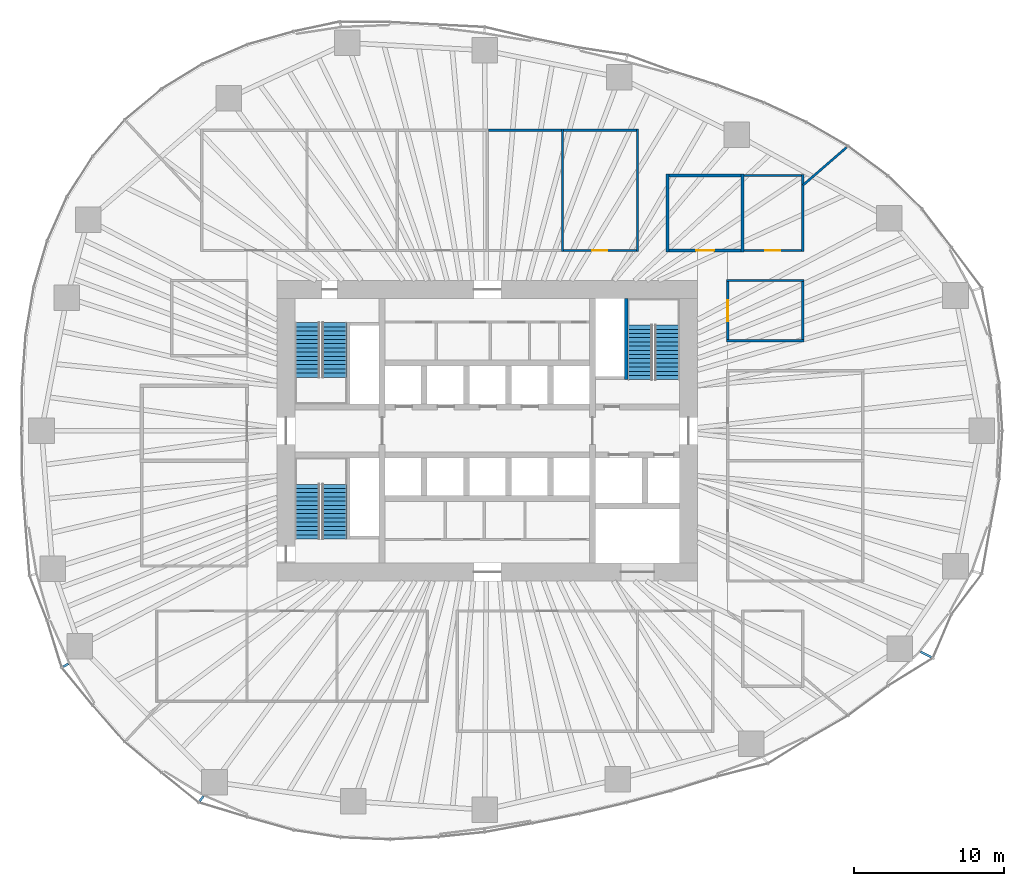
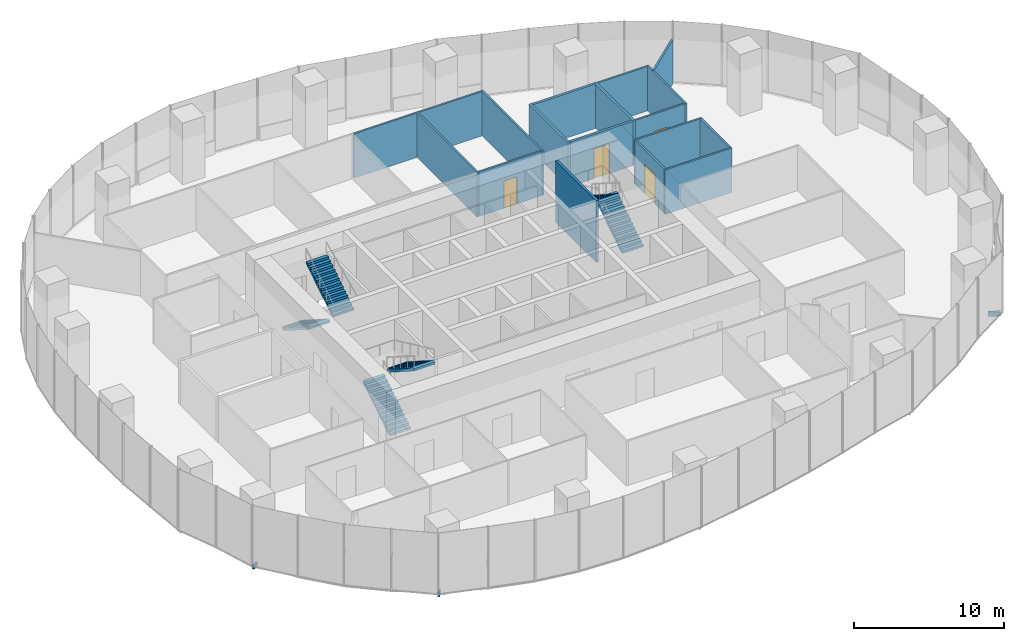
# One storey, part 12 of 20: 18 walls, 6 stair flights, 4 doors, 3 discrete accessories, 4 openings, 3 elements without a shape of their own.
"""IFC4 building model written with IfcOpenShell, lengths in metres."""

from ifc_helpers import new_model, si_unit, direction, frame, frame_2d, origin, origin_2d, place, context, subcontext, project, spatial, polyline, rectangle, outline, extrude, material, layer, layer_set, type_object, element, fill, aggregate, save


model = new_model("IFC4")

# Units and contexts
model_context = context("Model", 3, precision=1e-05, world=origin(), true_north=direction((0.0, 1.0)))
body_context = subcontext(model_context, "Body", "Model", "MODEL_VIEW")
ifc_project = project(units=[si_unit("LENGTHUNIT", "METRE"), si_unit("AREAUNIT", "SQUARE_METRE"), si_unit("VOLUMEUNIT", "CUBIC_METRE"), si_unit("PLANEANGLEUNIT", "RADIAN"), si_unit("MASSUNIT", "GRAM", prefix="KILO")], contexts=[model_context])

# Site, building, storey
site_placement = place(None, origin())
site = spatial("IfcSite", under=ifc_project, at=site_placement, CompositionType="ELEMENT")
building_placement = place(site_placement, origin())
building = spatial("IfcBuilding", under=site, at=building_placement, Name="Ghaith Harvest Tower", CompositionType="ELEMENT")
storey_placement = place(building_placement, frame((0.0, 0.0, 90.0)))
storey = spatial("IfcBuildingStorey", under=building, at=storey_placement, Name="L18", CompositionType="ELEMENT", Elevation=90.0)

# Walls
ifc_material_1 = material(Name="Twin-stud gypsum board, acoustic", Category="gypsum")
ifc_layer_1 = layer(ifc_material_1, 0.199951171875)
ifc_layer_set_1 = layer_set([ifc_layer_1], Name="ACOUSTIC PARTITION 200")
wall_type_1 = type_object("IfcWallType", Name="ACOUSTIC PARTITION 200", PredefinedType="PARTITIONING", material=ifc_layer_set_1)
for number, where, z_axis, x_axis, name in (
    (1, (12.0, 11.89990234375, 0.0), (0.0, 0.0, 1.0), (0.0, 1.0, 0.0), "Partition L18 row N6 cross wall 1"),
    (2, (17.0, 11.89990234375, 0.0), (0.0, 0.0, 1.0), (0.0, 1.0, 0.0), "Partition L18 row N6 cross wall 2"),
):
    element("IfcWall", number, at=place(storey_placement, frame(where, z_axis=z_axis, x_axis=x_axis)), inside=storey, type_object=wall_type_1, Name=name, PredefinedType="PARTITIONING", context=body_context, shape_type="SweptSolid", body=[
        extrude(rectangle(XDim=5.2001953125, YDim=0.199951171875, at=frame_2d((2.60009765625, 0.0))), origin(), (0.0, 0.0, 1.0), 3.60009765625),
    ])

# Wall, opening, door
wall_1_placement = place(storey_placement, frame((12.10009765625, 12.0, 0.0), z_axis=(0.0, 0.0, 1.0), x_axis=(1.0, 0.0, 0.0)))
wall_1 = element("IfcWall", 3, at=wall_1_placement, inside=storey, type_object=wall_type_1, Name="Partition L18-15", PredefinedType="PARTITIONING", context=body_context, shape_type="SweptSolid", body=[
    extrude(rectangle(XDim=4.7998046875, YDim=0.199951171875, at=frame_2d((2.39990234375, 0.0))), origin(), (0.0, 0.0, 1.0), 3.60009765625),
])
opening_1_placement = place(wall_1_placement, frame((1.800048828125, 0.0, 0.0)))
opening_1 = element("IfcOpeningElement", 4, at=opening_1_placement, cuts=wall_1, Name="Opening 18-040", PredefinedType="OPENING", context=body_context, shape_type="SweptSolid", body=[
    extrude(rectangle(XDim=1.199951171875, YDim=2.39990234375, at=frame_2d((0.60009765625, 1.199951171875))), frame((0.0, 0.10986328125, 0.0), z_axis=(0.0, -1.0, 0.0), x_axis=(1.0, 0.0, 0.0)), (0.0, 0.0, 1.0), 0.219970703125),
])
ifc_material_2 = material(Name="Timber door", Category="wood")
door_type_1 = type_object("IfcDoorType", Name="D11 GLAZED 1200x2400", OperationType="SINGLE_SWING_LEFT", PredefinedType="DOOR", material=ifc_material_2)
door_1_placement = place(opening_1_placement, origin())
door_1 = element("IfcDoor", 5, at=door_1_placement, inside=storey, type_object=door_type_1, Name="Meeting room door", OperationType="SINGLE_SWING_LEFT", OverallHeight=2.39990234375, OverallWidth=1.199951171875, PredefinedType="DOOR", context=body_context, shape_type="SweptSolid", body=[
    extrude(rectangle(XDim=1.199951171875, YDim=2.39990234375, at=frame_2d((0.60009765625, 1.199951171875))), frame((0.0, 0.02490234375, 0.0), z_axis=(0.0, -1.0, 0.0), x_axis=(1.0, 0.0, 0.0)), (0.0, 0.0, 1.0), 0.050048828125),
])
fill(opening_1, door_1)

# Walls
wall_2_placement = place(storey_placement, frame((12.10009765625, 17.0, 0.0), z_axis=(0.0, 0.0, 1.0), x_axis=(1.0, 0.0, 0.0)))
element("IfcWall", 6, at=wall_2_placement, inside=storey, type_object=wall_type_1, Name="Partition L18-15", PredefinedType="PARTITIONING", context=body_context, shape_type="SweptSolid", body=[
    extrude(rectangle(XDim=4.7998046875, YDim=0.199951171875, at=frame_2d((2.39990234375, 0.0))), origin(), (0.0, 0.0, 1.0), 3.60009765625),
])
ifc_material_3 = material(Name="Gypsum board on steel studs", Category="steel")
ifc_layer_2 = layer(ifc_material_3, 0.14990234375)
ifc_layer_set_2 = layer_set([ifc_layer_2], Name="PARTITION 150")
wall_type_2 = type_object("IfcWallType", Name="PARTITION 150", PredefinedType="PARTITIONING", material=ifc_layer_set_2)
for number, where, z_axis, x_axis, name in (
    (7, (5.0, 11.925048828125, 0.0), (0.0, 0.0, 1.0), (0.0, 1.0, 0.0), "Partition L18 row N4 cross wall 5"),
    (8, (10.0, 11.925048828125, 0.0), (0.0, 0.0, 1.0), (0.0, 1.0, 0.0), "Partition L18 row N4 cross wall 6"),
):
    element("IfcWall", number, at=place(storey_placement, frame(where, z_axis=z_axis, x_axis=x_axis)), inside=storey, type_object=wall_type_2, Name=name, PredefinedType="PARTITIONING", context=body_context, shape_type="SweptSolid", body=[
        extrude(rectangle(XDim=8.14990234375, YDim=0.14990234375, at=frame_2d((4.074951171875, 0.0))), origin(), (0.0, 0.0, 1.0), 3.60009765625),
    ])
wall_3_placement = place(storey_placement, frame((0.074951171875, 20.0, 0.0), z_axis=(0.0, 0.0, 1.0), x_axis=(1.0, 0.0, 0.0)))
element("IfcWall", 9, at=wall_3_placement, inside=storey, type_object=wall_type_2, Name="Partition L18-11", PredefinedType="PARTITIONING", context=body_context, shape_type="SweptSolid", body=[
    extrude(rectangle(XDim=4.85009765625, YDim=0.14990234375, at=frame_2d((2.425048828125, 0.0))), origin(), (0.0, 0.0, 1.0), 3.60009765625),
])

# Wall, opening, door
wall_4_placement = place(storey_placement, frame((5.074951171875, 12.0, 0.0), z_axis=(0.0, 0.0, 1.0), x_axis=(1.0, 0.0, 0.0)))
wall_4 = element("IfcWall", 10, at=wall_4_placement, inside=storey, type_object=wall_type_2, Name="Partition L18-12", PredefinedType="PARTITIONING", context=body_context, shape_type="SweptSolid", body=[
    extrude(rectangle(XDim=4.85009765625, YDim=0.14990234375, at=frame_2d((2.425048828125, 0.0))), origin(), (0.0, 0.0, 1.0), 3.60009765625),
])
opening_2_placement = place(wall_4_placement, frame((1.925048828125, 0.0, 0.0)))
opening_2 = element("IfcOpeningElement", 11, at=opening_2_placement, cuts=wall_4, Name="Opening 18-037", PredefinedType="OPENING", context=body_context, shape_type="SweptSolid", body=[
    extrude(rectangle(XDim=1.0, YDim=2.199951171875, at=frame_2d((0.5, 1.10009765625))), frame((0.0, 0.0849609375, 0.0), z_axis=(0.0, -1.0, 0.0), x_axis=(1.0, 0.0, 0.0)), (0.0, 0.0, 1.0), 0.169921875),
])
ifc_material_4 = material(Name="Timber door", Category="wood")
door_type_2 = type_object("IfcDoorType", Name="D1 SINGLE 1000x2200", OperationType="SINGLE_SWING_LEFT", PredefinedType="DOOR", material=ifc_material_4)
door_2_placement = place(opening_2_placement, origin())
door_2 = element("IfcDoor", 12, at=door_2_placement, inside=storey, type_object=door_type_2, Name="Female staff changing room door", OperationType="SINGLE_SWING_LEFT", OverallHeight=2.199951171875, OverallWidth=1.0, PredefinedType="DOOR", context=body_context, shape_type="SweptSolid", body=[
    extrude(rectangle(XDim=1.0, YDim=2.199951171875, at=frame_2d((0.5, 1.10009765625))), frame((0.0, 0.02490234375, 0.0), z_axis=(0.0, -1.0, 0.0), x_axis=(1.0, 0.0, 0.0)), (0.0, 0.0, 1.0), 0.050048828125),
])
fill(opening_2, door_2)

# Walls
wall_5_placement = place(storey_placement, frame((5.074951171875, 20.0, 0.0), z_axis=(0.0, 0.0, 1.0), x_axis=(1.0, 0.0, 0.0)))
element("IfcWall", 13, at=wall_5_placement, inside=storey, type_object=wall_type_2, Name="Partition L18-12", PredefinedType="PARTITIONING", context=body_context, shape_type="SweptSolid", body=[
    extrude(rectangle(XDim=4.85009765625, YDim=0.14990234375, at=frame_2d((2.425048828125, 0.0))), origin(), (0.0, 0.0, 1.0), 3.60009765625),
])
wall_6_placement = place(storey_placement, frame((21.0, 11.925048828125, 0.0), z_axis=(0.0, 0.0, 1.0), x_axis=(0.0, 1.0, 0.0)))
element("IfcWall", 14, at=wall_6_placement, inside=storey, type_object=wall_type_2, Name="Partition L18 row N6 cross wall 3", PredefinedType="PARTITIONING", context=body_context, shape_type="SweptSolid", body=[
    extrude(rectangle(XDim=5.14990234375, YDim=0.14990234375, at=frame_2d((2.574951171875, 0.0))), origin(), (0.0, 0.0, 1.0), 3.60009765625),
])

# Wall, opening, door
wall_7_placement = place(storey_placement, frame((17.10009765625, 12.0, 0.0), z_axis=(0.0, 0.0, 1.0), x_axis=(1.0, 0.0, 0.0)))
wall_7 = element("IfcWall", 15, at=wall_7_placement, inside=storey, type_object=wall_type_2, Name="Partition L18-16", PredefinedType="PARTITIONING", context=body_context, shape_type="SweptSolid", body=[
    extrude(rectangle(XDim=3.824951171875, YDim=0.14990234375, at=frame_2d((1.91259765625, 0.0))), origin(), (0.0, 0.0, 1.0), 3.60009765625),
])
opening_3_placement = place(wall_7_placement, frame((1.41259765625, 0.0, 0.0)))
opening_3 = element("IfcOpeningElement", 16, at=opening_3_placement, cuts=wall_7, Name="Opening 18-041", PredefinedType="OPENING", context=body_context, shape_type="SweptSolid", body=[
    extrude(rectangle(XDim=1.0, YDim=2.199951171875, at=frame_2d((0.5, 1.10009765625))), frame((0.0, 0.0849609375, 0.0), z_axis=(0.0, -1.0, 0.0), x_axis=(1.0, 0.0, 0.0)), (0.0, 0.0, 1.0), 0.169921875),
])
door_3_placement = place(opening_3_placement, origin())
door_3 = element("IfcDoor", 17, at=door_3_placement, inside=storey, type_object=door_type_2, Name="Store door", OperationType="SINGLE_SWING_LEFT", OverallHeight=2.199951171875, OverallWidth=1.0, PredefinedType="DOOR", context=body_context, shape_type="SweptSolid", body=[
    extrude(rectangle(XDim=1.0, YDim=2.199951171875, at=frame_2d((0.5, 1.10009765625))), frame((0.0, 0.02490234375, 0.0), z_axis=(0.0, -1.0, 0.0), x_axis=(1.0, 0.0, 0.0)), (0.0, 0.0, 1.0), 0.050048828125),
])
fill(opening_3, door_3)

# Walls
wall_8_placement = place(storey_placement, frame((17.10009765625, 17.0, 0.0), z_axis=(0.0, 0.0, 1.0), x_axis=(1.0, 0.0, 0.0)))
element("IfcWall", 18, at=wall_8_placement, inside=storey, type_object=wall_type_2, Name="Partition L18-16", PredefinedType="PARTITIONING", context=body_context, shape_type="SweptSolid", body=[
    extrude(rectangle(XDim=3.824951171875, YDim=0.14990234375, at=frame_2d((1.91259765625, 0.0))), origin(), (0.0, 0.0, 1.0), 3.60009765625),
])
for number, where, z_axis, x_axis, name in (
    (19, (15.925048828125, 6.0, 0.0), (0.0, 0.0, 1.0), (1.0, 0.0, 0.0), "Partition L18 row E8 cross wall 1"),
    (20, (15.925048828125, 10.0, 0.0), (0.0, 0.0, 1.0), (1.0, 0.0, 0.0), "Partition L18 row E8 cross wall 2"),
):
    element("IfcWall", number, at=place(storey_placement, frame(where, z_axis=z_axis, x_axis=x_axis)), inside=storey, type_object=wall_type_2, Name=name, PredefinedType="PARTITIONING", context=body_context, shape_type="SweptSolid", body=[
        extrude(rectangle(XDim=5.14990234375, YDim=0.14990234375, at=frame_2d((2.574951171875, 0.0))), origin(), (0.0, 0.0, 1.0), 3.60009765625),
    ])

# Wall, opening, door
wall_9_placement = place(storey_placement, frame((16.0, 6.074951171875, 0.0), z_axis=(0.0, 0.0, 1.0), x_axis=(0.0, 1.0, 0.0)))
wall_9 = element("IfcWall", 21, at=wall_9_placement, inside=storey, type_object=wall_type_2, Name="Partition L18-18", PredefinedType="PARTITIONING", context=body_context, shape_type="SweptSolid", body=[
    extrude(rectangle(XDim=3.85009765625, YDim=0.14990234375, at=frame_2d((1.925048828125, 0.0))), origin(), (0.0, 0.0, 1.0), 3.60009765625),
])
opening_4_placement = place(wall_9_placement, frame((1.22509765625, 0.0, 0.0)))
opening_4 = element("IfcOpeningElement", 22, at=opening_4_placement, cuts=wall_9, Name="Opening 18-043", PredefinedType="OPENING", context=body_context, shape_type="SweptSolid", body=[
    extrude(rectangle(XDim=1.39990234375, YDim=2.39990234375, at=frame_2d((0.699951171875, 1.199951171875))), frame((0.0, 0.0849609375, 0.0), z_axis=(0.0, -1.0, 0.0), x_axis=(1.0, 0.0, 0.0)), (0.0, 0.0, 1.0), 0.169921875),
])
ifc_material_5 = material(Name="Stainless steel faced door pair", Category="steel")
door_type_3 = type_object("IfcDoorType", Name="D14 HYGIENE PAIR 1400x2400", OperationType="DOUBLE_DOOR_DOUBLE_SWING", PredefinedType="DOOR", material=ifc_material_5)
door_4_placement = place(opening_4_placement, origin())
door_4 = element("IfcDoor", 23, at=door_4_placement, inside=storey, type_object=door_type_3, Name="Pallet store door", OperationType="DOUBLE_DOOR_DOUBLE_SWING", OverallHeight=2.39990234375, OverallWidth=1.39990234375, PredefinedType="DOOR", context=body_context, shape_type="SweptSolid", body=[
    extrude(rectangle(XDim=1.39990234375, YDim=2.39990234375, at=frame_2d((0.699951171875, 1.199951171875))), frame((0.0, 0.02490234375, 0.0), z_axis=(0.0, -1.0, 0.0), x_axis=(1.0, 0.0, 0.0)), (0.0, 0.0, 1.0), 0.050048828125),
])
fill(opening_4, door_4)

# Walls
wall_10_placement = place(storey_placement, frame((21.0, 6.074951171875, 0.0), z_axis=(0.0, 0.0, 1.0), x_axis=(0.0, 1.0, 0.0)))
element("IfcWall", 24, at=wall_10_placement, inside=storey, type_object=wall_type_2, Name="Partition L18-18", PredefinedType="PARTITIONING", context=body_context, shape_type="SweptSolid", body=[
    extrude(rectangle(XDim=3.85009765625, YDim=0.14990234375, at=frame_2d((1.925048828125, 0.0))), origin(), (0.0, 0.0, 1.0), 3.60009765625),
])
wall_11_placement = place(storey_placement, frame((21.02001953125, 16.35400390625, 0.0), z_axis=(0.0, 0.0, 1.0), x_axis=(0.755425653008, 0.655234372402, 0.0)))
element("IfcWall", 25, at=wall_11_placement, inside=storey, type_object=wall_type_2, Name="Partition L18 zone division", PredefinedType="PARTITIONING", context=body_context, shape_type="SweptSolid", body=[
    extrude(rectangle(XDim=3.8232421875, YDim=0.14990234375, at=frame_2d((1.91162109375, 0.0))), origin(), (0.0, 0.0, 1.0), 3.60009765625),
])
ifc_material_6 = material(Name="Concrete C40/50", Category="concrete")
ifc_layer_3 = layer(ifc_material_6, 0.199951171875)
ifc_layer_set_3 = layer_set([ifc_layer_3], Name="STAIR SPINE WALL RC200")
wall_type_3 = type_object("IfcWallType", Name="STAIR SPINE WALL RC200", PredefinedType="SOLIDWALL", material=ifc_layer_set_3)
wall_12_placement = place(storey_placement, frame((9.25, 3.39990234375, 0.0), z_axis=(0.0, 0.0, 1.0), x_axis=(0.0, 1.0, 0.0)))
element("IfcWall", 26, at=wall_12_placement, inside=storey, type_object=wall_type_3, Name="Stair ST2 spine wall L18", PredefinedType="SOLIDWALL", context=body_context, shape_type="SweptSolid", body=[
    extrude(rectangle(XDim=5.400146484375, YDim=0.199951171875, at=frame_2d((2.7001953125, 0.0))), origin(), (0.0, 0.0, 1.0), 5.0),
])

# Stair, stair flights
ifc_material_7 = material(Name="Concrete C40/50, precast", Category="concrete")
stair_type = type_object("IfcStairType", Name="CORE STAIR 28R", PredefinedType="HALF_TURN_STAIR", material=ifc_material_7)
stair_1_placement = place(storey_placement, origin())
stair_1 = element("IfcStair", 27, at=stair_1_placement, inside=storey, type_object=stair_type, Name="Stair ST1 L18", PredefinedType="HALF_TURN_STAIR")
ifc_material_8 = material(Name="Concrete C40/50, precast", Category="concrete")
stair_flight_type = type_object("IfcStairFlightType", Name="CORE FLIGHT 14R 1600", PredefinedType="STRAIGHT", material=ifc_material_8)
stair_flight_1_placement = place(storey_placement, frame((-12.0, 7.199951171875, 0.0), z_axis=(0.0, 0.0, 1.0), x_axis=(0.0, -1.0, 0.0)))
stair_flight_1 = element("IfcStairFlight", 28, at=stair_flight_1_placement, type_object=stair_flight_type, Name="ST1 flight 1", NumberOfRisers=14, NumberOfTreads=13, PredefinedType="STRAIGHT", RiserHeight=0.178571429, TreadLength=0.28, context=body_context, shape_type="SweptSolid", body=[
    extrude(outline(polyline([(0.0, 0.0), (0.0, 0.178466796875), (0.280029296875, 0.178466796875), (0.280029296875, 0.357177734375), (0.56005859375, 0.357177734375), (0.56005859375, 0.53564453125), (0.840087890625, 0.53564453125), (0.840087890625, 0.71435546875), (1.1201171875, 0.71435546875), (1.1201171875, 0.892822265625), (1.39990234375, 0.892822265625), (1.39990234375, 1.071533203125), (1.679931640625, 1.071533203125), (1.679931640625, 1.25), (1.9599609375, 1.25), (1.9599609375, 1.428466796875), (2.239990234375, 1.428466796875), (2.239990234375, 1.607177734375), (2.52001953125, 1.607177734375), (2.52001953125, 1.78564453125), (2.800048828125, 1.78564453125), (2.800048828125, 1.96435546875), (3.080078125, 1.96435546875), (3.080078125, 2.142822265625), (3.360107421875, 2.142822265625), (3.360107421875, 2.321533203125), (3.639892578125, 2.321533203125), (3.639892578125, 2.5), (3.639892578125, 2.1435546875), (0.27880859375, 0.0), (0.0, 0.0)])), frame((0.0, 0.800048828125, 0.0), z_axis=(0.0, -1.0, 0.0), x_axis=(1.0, 0.0, 0.0)), (0.0, 0.0, 1.0), 1.60009765625),
])
stair_flight_2_placement = place(storey_placement, frame((-10.14990234375, 3.56005859375, 2.5), z_axis=(0.0, 0.0, 1.0), x_axis=(0.0, 1.0, 0.0)))
stair_flight_2 = element("IfcStairFlight", 29, at=stair_flight_2_placement, type_object=stair_flight_type, Name="ST1 flight 2", NumberOfRisers=14, NumberOfTreads=13, PredefinedType="STRAIGHT", RiserHeight=0.178571429, TreadLength=0.28, context=body_context, shape_type="SweptSolid", body=[
    extrude(outline(polyline([(0.0, 0.0), (0.0, 0.178466796875), (0.280029296875, 0.178466796875), (0.280029296875, 0.357177734375), (0.56005859375, 0.357177734375), (0.56005859375, 0.53564453125), (0.840087890625, 0.53564453125), (0.840087890625, 0.71435546875), (1.1201171875, 0.71435546875), (1.1201171875, 0.892822265625), (1.39990234375, 0.892822265625), (1.39990234375, 1.071533203125), (1.679931640625, 1.071533203125), (1.679931640625, 1.25), (1.9599609375, 1.25), (1.9599609375, 1.428466796875), (2.239990234375, 1.428466796875), (2.239990234375, 1.607177734375), (2.52001953125, 1.607177734375), (2.52001953125, 1.78564453125), (2.800048828125, 1.78564453125), (2.800048828125, 1.96435546875), (3.080078125, 1.96435546875), (3.080078125, 2.142822265625), (3.360107421875, 2.142822265625), (3.360107421875, 2.321533203125), (3.639892578125, 2.321533203125), (3.639892578125, 2.5), (3.639892578125, 2.1435546875), (0.27880859375, 0.0), (0.0, 0.0)])), frame((0.0, 0.800048828125, 0.0), z_axis=(0.0, -1.0, 0.0), x_axis=(1.0, 0.0, 0.0)), (0.0, 0.0, 1.0), 1.60009765625),
])
aggregate(stair_1, [stair_flight_1, stair_flight_2])

stair_2_placement = place(storey_placement, origin())
stair_2 = element("IfcStair", 30, at=stair_2_placement, inside=storey, type_object=stair_type, Name="Stair ST3 L18", PredefinedType="HALF_TURN_STAIR")
stair_flight_3_placement = place(storey_placement, frame((-12.0, -7.199951171875, 0.0), z_axis=(0.0, 0.0, 1.0), x_axis=(0.0, 1.0, 0.0)))
stair_flight_3 = element("IfcStairFlight", 31, at=stair_flight_3_placement, type_object=stair_flight_type, Name="ST3 flight 1", NumberOfRisers=14, NumberOfTreads=13, PredefinedType="STRAIGHT", RiserHeight=0.178571429, TreadLength=0.28, context=body_context, shape_type="SweptSolid", body=[
    extrude(outline(polyline([(0.0, 0.0), (0.0, 0.178466796875), (0.280029296875, 0.178466796875), (0.280029296875, 0.357177734375), (0.56005859375, 0.357177734375), (0.56005859375, 0.53564453125), (0.840087890625, 0.53564453125), (0.840087890625, 0.71435546875), (1.1201171875, 0.71435546875), (1.1201171875, 0.892822265625), (1.39990234375, 0.892822265625), (1.39990234375, 1.071533203125), (1.679931640625, 1.071533203125), (1.679931640625, 1.25), (1.9599609375, 1.25), (1.9599609375, 1.428466796875), (2.239990234375, 1.428466796875), (2.239990234375, 1.607177734375), (2.52001953125, 1.607177734375), (2.52001953125, 1.78564453125), (2.800048828125, 1.78564453125), (2.800048828125, 1.96435546875), (3.080078125, 1.96435546875), (3.080078125, 2.142822265625), (3.360107421875, 2.142822265625), (3.360107421875, 2.321533203125), (3.639892578125, 2.321533203125), (3.639892578125, 2.5), (3.639892578125, 2.1435546875), (0.27880859375, 0.0), (0.0, 0.0)])), frame((0.0, 0.800048828125, 0.0), z_axis=(0.0, -1.0, 0.0), x_axis=(1.0, 0.0, 0.0)), (0.0, 0.0, 1.0), 1.60009765625),
])
stair_flight_4_placement = place(storey_placement, frame((-10.14990234375, -3.56005859375, 2.5), z_axis=(0.0, 0.0, 1.0), x_axis=(0.0, -1.0, 0.0)))
stair_flight_4 = element("IfcStairFlight", 32, at=stair_flight_4_placement, type_object=stair_flight_type, Name="ST3 flight 2", NumberOfRisers=14, NumberOfTreads=13, PredefinedType="STRAIGHT", RiserHeight=0.178571429, TreadLength=0.28, context=body_context, shape_type="SweptSolid", body=[
    extrude(outline(polyline([(0.0, 0.0), (0.0, 0.178466796875), (0.280029296875, 0.178466796875), (0.280029296875, 0.357177734375), (0.56005859375, 0.357177734375), (0.56005859375, 0.53564453125), (0.840087890625, 0.53564453125), (0.840087890625, 0.71435546875), (1.1201171875, 0.71435546875), (1.1201171875, 0.892822265625), (1.39990234375, 0.892822265625), (1.39990234375, 1.071533203125), (1.679931640625, 1.071533203125), (1.679931640625, 1.25), (1.9599609375, 1.25), (1.9599609375, 1.428466796875), (2.239990234375, 1.428466796875), (2.239990234375, 1.607177734375), (2.52001953125, 1.607177734375), (2.52001953125, 1.78564453125), (2.800048828125, 1.78564453125), (2.800048828125, 1.96435546875), (3.080078125, 1.96435546875), (3.080078125, 2.142822265625), (3.360107421875, 2.142822265625), (3.360107421875, 2.321533203125), (3.639892578125, 2.321533203125), (3.639892578125, 2.5), (3.639892578125, 2.1435546875), (0.27880859375, 0.0), (0.0, 0.0)])), frame((0.0, 0.800048828125, 0.0), z_axis=(0.0, -1.0, 0.0), x_axis=(1.0, 0.0, 0.0)), (0.0, 0.0, 1.0), 1.60009765625),
])
aggregate(stair_2, [stair_flight_3, stair_flight_4])

stair_3_placement = place(storey_placement, origin())
stair_3 = element("IfcStair", 33, at=stair_3_placement, inside=storey, type_object=stair_type, Name="Stair ST2 L18", PredefinedType="HALF_TURN_STAIR")
stair_flight_5_placement = place(storey_placement, frame((12.0, 3.39990234375, 0.0), z_axis=(0.0, 0.0, 1.0), x_axis=(0.0, 1.0, 0.0)))
stair_flight_5 = element("IfcStairFlight", 34, at=stair_flight_5_placement, type_object=stair_flight_type, Name="ST2 flight 1", NumberOfRisers=14, NumberOfTreads=13, PredefinedType="STRAIGHT", RiserHeight=0.178571429, TreadLength=0.28, context=body_context, shape_type="SweptSolid", body=[
    extrude(outline(polyline([(0.0, 0.0), (0.0, 0.178466796875), (0.280029296875, 0.178466796875), (0.280029296875, 0.357177734375), (0.56005859375, 0.357177734375), (0.56005859375, 0.53564453125), (0.840087890625, 0.53564453125), (0.840087890625, 0.71435546875), (1.1201171875, 0.71435546875), (1.1201171875, 0.892822265625), (1.39990234375, 0.892822265625), (1.39990234375, 1.071533203125), (1.679931640625, 1.071533203125), (1.679931640625, 1.25), (1.9599609375, 1.25), (1.9599609375, 1.428466796875), (2.239990234375, 1.428466796875), (2.239990234375, 1.607177734375), (2.52001953125, 1.607177734375), (2.52001953125, 1.78564453125), (2.800048828125, 1.78564453125), (2.800048828125, 1.96435546875), (3.080078125, 1.96435546875), (3.080078125, 2.142822265625), (3.360107421875, 2.142822265625), (3.360107421875, 2.321533203125), (3.639892578125, 2.321533203125), (3.639892578125, 2.5), (3.639892578125, 2.1435546875), (0.27880859375, 0.0), (0.0, 0.0)])), frame((0.0, 0.800048828125, 0.0), z_axis=(0.0, -1.0, 0.0), x_axis=(1.0, 0.0, 0.0)), (0.0, 0.0, 1.0), 1.60009765625),
])
stair_flight_6_placement = place(storey_placement, frame((10.14990234375, 7.0400390625, 2.5), z_axis=(0.0, 0.0, 1.0), x_axis=(0.0, -1.0, 0.0)))
stair_flight_6 = element("IfcStairFlight", 35, at=stair_flight_6_placement, type_object=stair_flight_type, Name="ST2 flight 2", NumberOfRisers=14, NumberOfTreads=13, PredefinedType="STRAIGHT", RiserHeight=0.178571429, TreadLength=0.28, context=body_context, shape_type="SweptSolid", body=[
    extrude(outline(polyline([(0.0, 0.0), (0.0, 0.178466796875), (0.280029296875, 0.178466796875), (0.280029296875, 0.357177734375), (0.56005859375, 0.357177734375), (0.56005859375, 0.53564453125), (0.840087890625, 0.53564453125), (0.840087890625, 0.71435546875), (1.1201171875, 0.71435546875), (1.1201171875, 0.892822265625), (1.39990234375, 0.892822265625), (1.39990234375, 1.071533203125), (1.679931640625, 1.071533203125), (1.679931640625, 1.25), (1.9599609375, 1.25), (1.9599609375, 1.428466796875), (2.239990234375, 1.428466796875), (2.239990234375, 1.607177734375), (2.52001953125, 1.607177734375), (2.52001953125, 1.78564453125), (2.800048828125, 1.78564453125), (2.800048828125, 1.96435546875), (3.080078125, 1.96435546875), (3.080078125, 2.142822265625), (3.360107421875, 2.142822265625), (3.360107421875, 2.321533203125), (3.639892578125, 2.321533203125), (3.639892578125, 2.5), (3.639892578125, 2.1435546875), (0.27880859375, 0.0), (0.0, 0.0)])), frame((0.0, 0.800048828125, 0.0), z_axis=(0.0, -1.0, 0.0), x_axis=(1.0, 0.0, 0.0)), (0.0, 0.0, 1.0), 1.60009765625),
])
aggregate(stair_3, [stair_flight_5, stair_flight_6])

# Discrete accessories
ifc_material_9 = material(Name="Stainless steel grade 1.4401", Category="steel")
discrete_accessory_type_1 = type_object("IfcDiscreteAccessoryType", Name="CURTAIN WALL BRACKET 415", PredefinedType="BRACKET", material=ifc_material_9)
discrete_accessory_1_placement = place(storey_placement, frame((-28.05859375, -15.60546875, -0.25), z_axis=(0.0, 0.0, 1.0), x_axis=(-0.873926916099, -0.486057347767, 0.0)))
element("IfcDiscreteAccessory", 36, at=discrete_accessory_1_placement, inside=storey, type_object=discrete_accessory_type_1, Name="CW-F bracket 3 bay 12 L18", PredefinedType="BRACKET", context=body_context, shape_type="SweptSolid", body=[
    extrude(rectangle(XDim=0.4150390625, YDim=0.14990234375, at=origin_2d()), origin(), (0.0, 0.0, 1.0), 0.35009765625),
])
ifc_material_10 = material(Name="Stainless steel grade 1.4401", Category="steel")
discrete_accessory_type_2 = type_object("IfcDiscreteAccessoryType", Name="CURTAIN WALL BRACKET 425", PredefinedType="BRACKET", material=ifc_material_10)
discrete_accessory_2_placement = place(storey_placement, frame((-19.02099609375, -24.491455078125, -0.25), z_axis=(0.0, 0.0, 1.0), x_axis=(-0.613377713774, -0.789789706343, 0.0)))
element("IfcDiscreteAccessory", 37, at=discrete_accessory_2_placement, inside=storey, type_object=discrete_accessory_type_2, Name="CW-F bracket 1 bay 14 L18", PredefinedType="BRACKET", context=body_context, shape_type="SweptSolid", body=[
    extrude(rectangle(XDim=0.425048828125, YDim=0.14990234375, at=origin_2d()), origin(), (0.0, 0.0, 1.0), 0.35009765625),
])
ifc_material_11 = material(Name="Stainless steel grade 1.4401", Category="steel")
discrete_accessory_type_3 = type_object("IfcDiscreteAccessoryType", Name="CURTAIN WALL BRACKET 825", PredefinedType="BRACKET", material=ifc_material_11)
discrete_accessory_3_placement = place(storey_placement, frame((29.203125, -14.89404296875, -0.25), z_axis=(0.0, 0.0, 1.0), x_axis=(0.890830752177, -0.454335306767, 0.0)))
element("IfcDiscreteAccessory", 38, at=discrete_accessory_3_placement, inside=storey, type_object=discrete_accessory_type_3, Name="CW-F bracket 2 bay 19 L18", PredefinedType="BRACKET", context=body_context, shape_type="SweptSolid", body=[
    extrude(rectangle(XDim=0.824951171875, YDim=0.14990234375, at=origin_2d()), origin(), (0.0, 0.0, 1.0), 0.35009765625),
])

save(model, "model.ifc")
